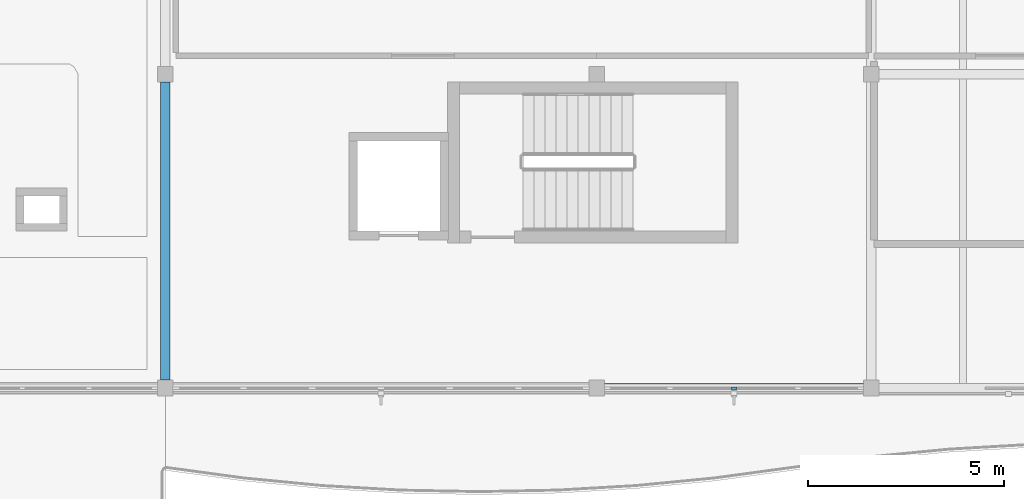
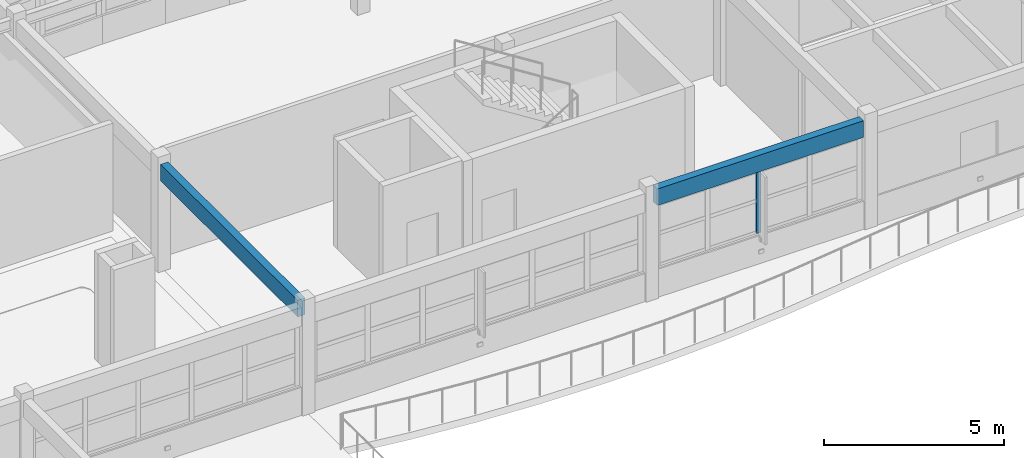
# One storey, part 12 of 52: 2 beams, 1 member, 1 element without a shape of its own.
"""IFC4 building model written with IfcOpenShell, lengths in metres."""

import ifcopenshell
import ifcopenshell.guid

model = None  # the IFC model being written
_history = None  # IfcOwnerHistory: only IFC2X3 demands one
_inside = {}  # id of a spatial element -> (the spatial element, [elements in it])
_under = {}  # id of a project, library or spatial element -> (it, [spatial elements below it])
_declared = {}  # id of a project -> (the project, [libraries it declares])
_typed = {}  # id of a type object -> (the type object, [elements of that type])
_made_of = {}  # id of a material, layer set ... -> (it, [elements and type objects made of it])


def new_model(schema):
    """Start an empty IFC model of exactly this schema.

    Asked for "IFC4X3", IfcOpenShell would pick the latest addendum, in which some entities
    have other attributes; the version numbers below select the first issue.
    IFC2X3 requires an IfcOwnerHistory on every rooted entity: one is made here for all.
    """
    global model, _history
    if schema == "IFC4X3":
        model = ifcopenshell.file(schema_version=(4, 3, 0, 0))
    else:
        model = ifcopenshell.file(schema=schema)
    _inside.clear()
    _under.clear()
    _declared.clear()
    _typed.clear()
    _made_of.clear()
    _history = None
    if model.schema == "IFC2X3":
        org = make("IfcOrganization", Name="unknown")
        user = make(
            "IfcPersonAndOrganization",
            ThePerson=make("IfcPerson", FamilyName="unknown"),
            TheOrganization=org,
        )
        app = make(
            "IfcApplication",
            ApplicationDeveloper=org,
            Version="unknown",
            ApplicationFullName="unknown",
            ApplicationIdentifier="unknown",
        )
        _history = make(
            "IfcOwnerHistory",
            OwningUser=user,
            OwningApplication=app,
            ChangeAction="ADDED",
            CreationDate=0,
        )
    return model


def make(cls, **values):
    """One entity of the class cls with the attributes given. An attribute that is None is left unset."""
    return model.create_entity(
        cls, **{name: value for name, value in values.items() if value is not None}
    )


def rooted(cls, **values):
    """An entity with a GlobalId (a new one), such as an element, a storey or a relation."""
    return make(cls, GlobalId=ifcopenshell.guid.new(), OwnerHistory=_history, **values)


def si_unit(unit_type, name, prefix=None):
    """IfcSIUnit, for example si_unit("LENGTHUNIT", "METRE", prefix="MILLI")."""
    return make("IfcSIUnit", UnitType=unit_type, Prefix=prefix, Name=name)


def assignment(units):
    """IfcUnitAssignment: the units of a project."""
    return None if units is None else make("IfcUnitAssignment", Units=units)


def point(xyz):
    """IfcCartesianPoint."""
    return None if xyz is None else make("IfcCartesianPoint", Coordinates=xyz)


def direction(xyz):
    """IfcDirection."""
    return None if xyz is None else make("IfcDirection", DirectionRatios=xyz)


def frame(location, z_axis=None, x_axis=None):
    """IfcAxis2Placement3D, a coordinate frame: its origin and axes. An axis left out is left unset."""
    return make(
        "IfcAxis2Placement3D",
        Location=point(location),
        Axis=direction(z_axis),
        RefDirection=direction(x_axis),
    )


def frame_2d(location, x_axis=None):
    """IfcAxis2Placement2D, a coordinate frame in the plane: its origin and x axis."""
    return make(
        "IfcAxis2Placement2D", Location=point(location), RefDirection=direction(x_axis)
    )


def origin():
    """The frame at (0, 0, 0) with its axes left unset."""
    return frame((0.0, 0.0, 0.0))


def origin_2d():
    """The frame at (0, 0) in the plane with its x axis left unset."""
    return frame_2d((0.0, 0.0))


def place(relative_to, where):
    """IfcLocalPlacement: puts the frame where relative to a parent placement (None: the world)."""
    return make(
        "IfcLocalPlacement", PlacementRelTo=relative_to, RelativePlacement=where
    )


def context(
    kind, dimensions, precision=None, world=None, true_north=None, identifier=None
):
    """IfcGeometricRepresentationContext, for example the 3D "Model" context."""
    return make(
        "IfcGeometricRepresentationContext",
        ContextIdentifier=identifier,
        ContextType=kind,
        CoordinateSpaceDimension=dimensions,
        Precision=precision,
        WorldCoordinateSystem=world,
        TrueNorth=true_north,
    )


def subcontext(parent, identifier, kind, view, scale=None):
    """IfcGeometricRepresentationSubContext, for example "Body" below "Model"."""
    return make(
        "IfcGeometricRepresentationSubContext",
        ContextIdentifier=identifier,
        ContextType=kind,
        ParentContext=parent,
        TargetScale=scale,
        TargetView=view,
    )


def project(units=None, contexts=None):
    """IfcProject with its units and contexts."""
    return rooted(
        "IfcProject",
        Name="project",
        RepresentationContexts=contexts,
        UnitsInContext=assignment(units),
    )


def spatial(cls, under=None, at=None, **own):
    """A site, building, storey or space (cls), placed at a placement, below another one or the project."""
    s = rooted(cls, ObjectPlacement=at, **own)
    if under is not None:
        _under.setdefault(under.id(), (under, []))[1].append(s)
    return s


def profile(cls, at=None, kind="AREA", **sizes):
    """A parametric profile (cls). Its sizes go by their IFC names, for example OverallWidth=200.0."""
    return make(cls, ProfileType=kind, Position=at, **sizes)


def rectangle(**sizes):
    """IfcRectangleProfileDef."""
    return profile("IfcRectangleProfileDef", **sizes)


def extrude(swept, where, along, depth):
    """IfcExtrudedAreaSolid: the profile swept, set in the frame where, extruded along a direction by depth."""
    return make(
        "IfcExtrudedAreaSolid",
        SweptArea=swept,
        Position=where,
        ExtrudedDirection=direction(along),
        Depth=depth,
    )


def shape(context_of_items, identifier, shape_type, items):
    """IfcShapeRepresentation: the items that make up one representation, for example the "Body"."""
    return make(
        "IfcShapeRepresentation",
        ContextOfItems=context_of_items,
        RepresentationIdentifier=identifier,
        RepresentationType=shape_type,
        Items=items,
    )


def material(Name=None, Category=None):
    """IfcMaterial."""
    return make("IfcMaterial", Name=Name, Category=Category)


def layer(
    of_material, thickness, ventilated=None, Name=None, Category=None, Priority=None
):
    """IfcMaterialLayer: one layer of a wall or slab, of a material (None: an air gap)."""
    return make(
        "IfcMaterialLayer",
        Material=of_material,
        LayerThickness=thickness,
        IsVentilated=ventilated,
        Name=Name,
        Category=Category,
        Priority=Priority,
    )


def layer_set(layers, Name=None):
    """IfcMaterialLayerSet."""
    return make("IfcMaterialLayerSet", MaterialLayers=layers, LayerSetName=Name)


def material_profile(
    of_material, cross_section, Name=None, Category=None, Priority=None
):
    """IfcMaterialProfile: a cross section and its material."""
    return make(
        "IfcMaterialProfile",
        Name=Name,
        Material=of_material,
        Profile=cross_section,
        Priority=Priority,
        Category=Category,
    )


def profile_set(profiles, Name=None, composite=None):
    """IfcMaterialProfileSet."""
    return make(
        "IfcMaterialProfileSet",
        Name=Name,
        MaterialProfiles=profiles,
        CompositeProfile=composite,
    )


def made_of(thing, what):
    """Note that an element or type object is made of a material, layer set ...; save() writes the relation."""
    if what is not None:
        _made_of.setdefault(what.id(), (what, []))[1].append(thing)
    return thing


def type_object(cls, material=None, **own):
    """A type object (cls), such as IfcWallType, which elements share."""
    return made_of(rooted(cls, **own), material)


def element(
    cls,
    number,
    at=None,
    inside=None,
    cuts=None,
    type_object=None,
    material=None,
    context=None,
    identifier="Body",
    shape_type=None,
    held_by="IfcProductDefinitionShape",
    body=None,
    shapes=None,
    **own,
):
    """One element of the class cls, such as IfcWall. Its Tag is "e" and its number.

    at: its placement. inside: the storey or other place that contains it. cuts: it is an
    opening in that element (IfcRelVoidsElement). A single representation is given by context,
    identifier, shape_type and body (its items); several are given by shapes. held_by: the class
    of the entity that holds the representations. save() writes the other relations.
    """
    e = rooted(cls, Tag="e%d" % number, ObjectPlacement=at, **own)
    if body is not None:
        shapes = [shape(context, identifier, shape_type, body)]
    if shapes is not None:
        e.Representation = make(held_by, Representations=shapes)
    if inside is not None:
        _inside.setdefault(inside.id(), (inside, []))[1].append(e)
    if cuts is not None:
        rooted(
            "IfcRelVoidsElement", RelatingBuildingElement=cuts, RelatedOpeningElement=e
        )
    if type_object is not None:
        _typed.setdefault(type_object.id(), (type_object, []))[1].append(e)
    return made_of(e, material)


def aggregate(whole, parts):
    """IfcRelAggregates: a whole, such as a stair, and the parts it consists of."""
    return rooted("IfcRelAggregates", RelatingObject=whole, RelatedObjects=parts)


def save(model, path):
    """Write the relations noted so far, then the file.

    IfcRelAggregates (storeys below a building ...), IfcRelContainedInSpatialStructure (elements
    in a storey), IfcRelDefinesByType, IfcRelAssociatesMaterial and IfcRelDeclares: one each for
    every whole, place, type object, material and project.
    """
    for whole, parts in _under.values():
        aggregate(whole, parts)
    for where, things in _inside.values():
        rooted(
            "IfcRelContainedInSpatialStructure",
            RelatedElements=things,
            RelatingStructure=where,
        )
    for kind, things in _typed.values():
        rooted("IfcRelDefinesByType", RelatedObjects=things, RelatingType=kind)
    for what, things in _made_of.values():
        rooted("IfcRelAssociatesMaterial", RelatedObjects=things, RelatingMaterial=what)
    for by, libraries in _declared.values():
        rooted("IfcRelDeclares", RelatingContext=by, RelatedDefinitions=libraries)
    model.write(path)


model = new_model("IFC4")

# Units and contexts
model_context = context("Model", 3, precision=1e-05, world=origin(), true_north=direction((0.0, 1.0)))
body_context = subcontext(model_context, "Body", "Model", "MODEL_VIEW")
ifc_project = project(units=[si_unit("LENGTHUNIT", "METRE"), si_unit("AREAUNIT", "SQUARE_METRE"), si_unit("VOLUMEUNIT", "CUBIC_METRE"), si_unit("PLANEANGLEUNIT", "RADIAN"), si_unit("MASSUNIT", "GRAM", prefix="KILO")], contexts=[model_context])

# Site, building, storey
site_placement = place(None, origin())
site = spatial("IfcSite", under=ifc_project, at=site_placement, CompositionType="ELEMENT")
building_placement = place(site_placement, origin())
building = spatial("IfcBuilding", under=site, at=building_placement, Name="Tonlespit Floodbar School", CompositionType="ELEMENT")
storey_placement = place(building_placement, frame((0.0, 0.0, 12.300048828125)))
storey = spatial("IfcBuildingStorey", under=building, at=storey_placement, Name="L03", CompositionType="ELEMENT", Elevation=12.300048828125)

# Beams
ifc_material_1 = material(Name="Glulam GL28h", Category="wood")
ifc_material_profile_1 = material_profile(ifc_material_1, rectangle(XDim=0.239990234375, YDim=0.56005859375, at=origin_2d()), Name="GL 240x560")
ifc_profile_set_1 = profile_set([ifc_material_profile_1], Name="Glulam GL28h")
beam_type = type_object("IfcBeamType", Name="Beam_GL_240x560", PredefinedType="BEAM", material=ifc_profile_set_1)
beam_1_placement = place(storey_placement, frame((127.199951171875, 104.0, 3.364990234375), z_axis=(1.0, 0.0, 0.0), x_axis=(0.0, 1.0, 0.0)))
element("IfcBeam", 1, at=beam_1_placement, inside=storey, type_object=beam_type, Name="L03 girder 1176", PredefinedType="BEAM", context=body_context, shape_type="SweptSolid", body=[
    extrude(rectangle(XDim=0.239990234375, YDim=0.56005859375, at=origin_2d()), origin(), (0.0, 0.0, 1.0), 6.60009765625),
])
beam_2_placement = place(storey_placement, frame((116.0, 104.199951171875, 3.364990234375), z_axis=(0.0, 1.0, 0.0), x_axis=(-1.0, 0.0, 0.0)))
element("IfcBeam", 2, at=beam_2_placement, inside=storey, type_object=beam_type, Name="L03 girder 1232", PredefinedType="BEAM", context=body_context, shape_type="SweptSolid", body=[
    extrude(rectangle(XDim=0.239990234375, YDim=0.56005859375, at=origin_2d()), origin(), (0.0, 0.0, 1.0), 7.60009765625),
])

# Curtain wall, member
ifc_material_2 = material(Name="Anodised Aluminium", Category="aluminium")
ifc_layer = layer(ifc_material_2, 0.159912109375)
ifc_layer_set = layer_set([ifc_layer], Name="Anodised Aluminium")
curtain_wall_type = type_object("IfcCurtainWallType", Name="CurtainWall_6500x2150", PredefinedType="NOTDEFINED", material=ifc_layer_set)
curtain_wall_placement = place(storey_placement, origin())
curtain_wall = element("IfcCurtainWall", 3, at=curtain_wall_placement, inside=storey, type_object=curtain_wall_type, Name="L03 unitised curtain wall 0472", PredefinedType="NOTDEFINED")
ifc_material_profile_2 = material_profile(ifc_material_2, rectangle(XDim=0.06494140625, YDim=0.14990234375, at=origin_2d()), Name="ALU M65x150")
ifc_profile_set_2 = profile_set([ifc_material_profile_2], Name="Anodised Aluminium")
member_type = type_object("IfcMemberType", Name="CW_Mullion_65x150", PredefinedType="MULLION", material=ifc_profile_set_2)
member_placement = place(storey_placement, frame((130.5, 104.0, 0.949951171875), z_axis=(0.0, 0.0, 1.0), x_axis=(0.0, -1.0, 0.0)))
member = element("IfcMember", 4, at=member_placement, type_object=member_type, Name="CW-67 mullion 3", PredefinedType="MULLION", context=body_context, shape_type="SweptSolid", body=[
    extrude(rectangle(XDim=0.06494140625, YDim=0.14990234375, at=origin_2d()), origin(), (0.0, 0.0, 1.0), 2.135009765625),
])
aggregate(curtain_wall, [member])

save(model, "model.ifc")
